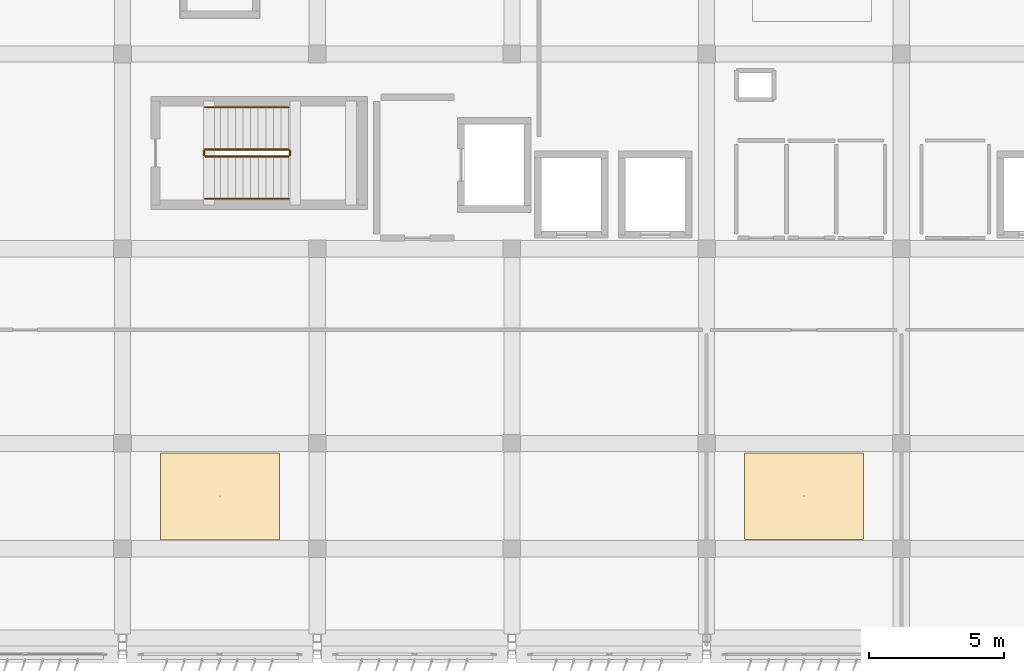
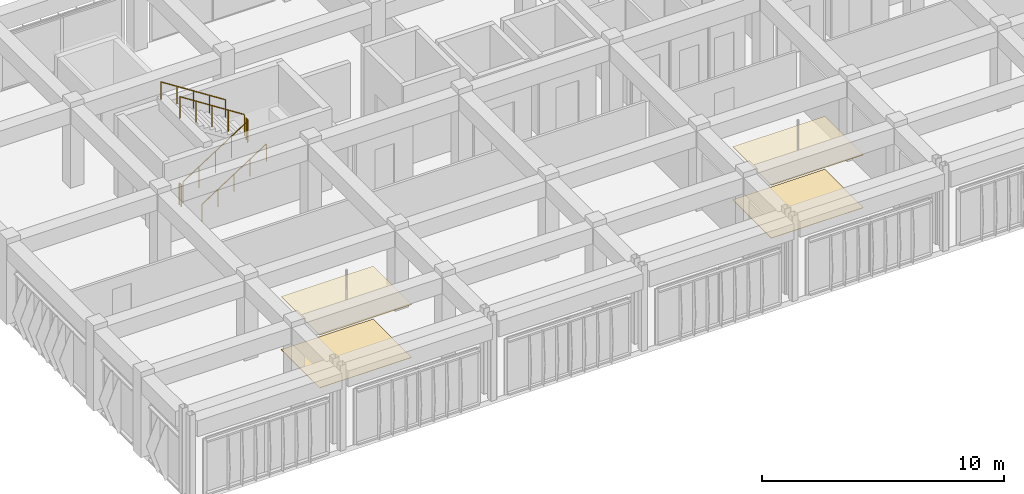
# One storey, part 51 of 53: 6 railings, 4 coverings.
"""IFC4 building model written with IfcOpenShell, lengths in metres."""

from ifc_helpers import new_model, si_unit, direction, frame, origin, origin_2d, place, context, subcontext, project, spatial, rectangle, circle, extrude, material, layer, layer_set, type_object, element, save


model = new_model("IFC4")

# Units and contexts
model_context = context("Model", 3, precision=1e-05, world=origin(), true_north=direction((0.0, 1.0)))
body_context = subcontext(model_context, "Body", "Model", "MODEL_VIEW")
ifc_project = project(units=[si_unit("LENGTHUNIT", "METRE"), si_unit("AREAUNIT", "SQUARE_METRE"), si_unit("VOLUMEUNIT", "CUBIC_METRE"), si_unit("PLANEANGLEUNIT", "RADIAN"), si_unit("MASSUNIT", "GRAM", prefix="KILO")], contexts=[model_context])

# Site, building, storey
site_placement = place(None, origin())
site = spatial("IfcSite", under=ifc_project, at=site_placement, CompositionType="ELEMENT")
building_placement = place(site_placement, origin())
building = spatial("IfcBuilding", under=site, at=building_placement, Name="Kazehaya Institute of Natural Sciences", CompositionType="ELEMENT")
storey_placement = place(building_placement, frame((0.0, 0.0, 33.300048828125)))
storey = spatial("IfcBuildingStorey", under=building, at=storey_placement, Name="L07", CompositionType="ELEMENT", Elevation=33.300048828125)

# Coverings
ifc_material_1 = material(Name="Mineral-fibre acoustic ceiling tile")
ifc_layer_1 = layer(ifc_material_1, 0.02490234375, Name="Mineral-fibre acoustic ceiling tile")
ifc_layer_set_1 = layer_set([ifc_layer_1], Name="Mineral-fibre acoustic ceiling tile")
covering_type_1 = type_object("IfcCoveringType", Name="COV-CEIL-AC", PredefinedType="CEILING", material=ifc_layer_set_1)
for number, where, z_axis, x_axis, name in (
    (1, (65.40771484375, 12.035888671875, 2.66748046875), (0.0, 0.0, 1.0), (1.0, 0.0, 0.0), "L07 Catalysis Synthesis Laboratory ceiling 64"),
    (2, (87.0, 12.050048828125, 2.66748046875), (0.0, 0.0, 1.0), (1.0, 0.0, 0.0), "L07 Nanomaterials Wet Laboratory ceiling 65"),
):
    element("IfcCovering", number, at=place(storey_placement, frame(where, z_axis=z_axis, x_axis=x_axis)), inside=storey, type_object=covering_type_1, Name=name, PredefinedType="CEILING", context=body_context, shape_type="SweptSolid", body=[
        extrude(rectangle(XDim=4.39990234375, YDim=3.199951171875, at=origin_2d()), origin(), (0.0, 0.0, 1.0), 0.02490234375),
    ])
ifc_material_2 = material(Name="Seamless chemical-resistant epoxy flooring")
ifc_layer_2 = layer(ifc_material_2, 0.014892578125, Name="Seamless chemical-resistant epoxy flooring")
ifc_layer_set_2 = layer_set([ifc_layer_2], Name="Seamless chemical-resistant epoxy flooring")
covering_type_2 = type_object("IfcCoveringType", Name="COV-FLR-EPX", PredefinedType="FLOORING", material=ifc_layer_set_2)
for number, where, z_axis, x_axis, name in (
    (3, (65.40771484375, 12.035888671875, 0.0), (0.0, 0.0, 1.0), (1.0, 0.0, 0.0), "L07 Catalysis Synthesis Laboratory finish flooring 64"),
    (4, (87.0, 12.050048828125, 0.0), (0.0, 0.0, 1.0), (1.0, 0.0, 0.0), "L07 Nanomaterials Wet Laboratory finish flooring 65"),
):
    element("IfcCovering", number, at=place(storey_placement, frame(where, z_axis=z_axis, x_axis=x_axis)), inside=storey, type_object=covering_type_2, Name=name, PredefinedType="FLOORING", context=body_context, shape_type="SweptSolid", body=[
        extrude(rectangle(XDim=4.39990234375, YDim=3.199951171875, at=origin_2d()), origin(), (0.0, 0.0, 1.0), 0.014892578125),
    ])

# Railings
ifc_material_3 = material(Name="Structural steel SN490B", Category="steel")
railing_type_1 = type_object("IfcRailingType", Name="RL-STAIR-GRD", PredefinedType="GUARDRAIL", material=ifc_material_3)
railing_1_placement = place(storey_placement, frame((64.860107421875, 24.610107421875, 0.179931640625)))
element("IfcRailing", 5, at=railing_1_placement, inside=storey, type_object=railing_type_1, Name="L07 ST-1 stair guard 1", PredefinedType="GUARDRAIL", context=body_context, shape_type="SweptSolid", body=[
    extrude(circle(Radius=0.02392578125, at=origin_2d()), frame((0.0, 0.0, 1.076171875), z_axis=(0.841167642724, 0.0, 0.540774441735), x_axis=(0.0, 1.0, 0.0)), (0.0, 0.0, 1.0), 3.661376953125),
    extrude(circle(Radius=0.02099609375, at=origin_2d()), origin(), (0.0, 0.0, 1.0), 1.052001953125),
    extrude(circle(Radius=0.02099609375, at=origin_2d()), frame((0.77001953125, 0.0, 0.4951171875)), (0.0, 0.0, 1.0), 1.052001953125),
    extrude(circle(Radius=0.02099609375, at=origin_2d()), frame((1.5400390625, 0.0, 0.989990234375)), (0.0, 0.0, 1.0), 1.052001953125),
    extrude(circle(Radius=0.02099609375, at=origin_2d()), frame((2.309814453125, 0.0, 1.48486328125)), (0.0, 0.0, 1.0), 1.052001953125),
    extrude(circle(Radius=0.02099609375, at=origin_2d()), frame((3.079833984375, 0.0, 1.97998046875)), (0.0, 0.0, 1.0), 1.052001953125),
])
railing_2_placement = place(storey_placement, frame((67.989990234375, 24.659912109375, 2.159912109375)))
element("IfcRailing", 6, at=railing_2_placement, inside=storey, type_object=railing_type_1, Name="L07 ST-1 stair guard 2", PredefinedType="GUARDRAIL", context=body_context, shape_type="SweptSolid", body=[
    extrude(circle(Radius=0.02392578125, at=origin_2d()), frame((0.0, 0.0, 1.076171875), z_axis=(0.0, 1.0, 0.0), x_axis=(-1.0, 0.0, 0.0)), (0.0, 0.0, 1.0), 0.16015625),
    extrude(circle(Radius=0.02099609375, at=origin_2d()), origin(), (0.0, 0.0, 1.0), 1.052001953125),
    extrude(circle(Radius=0.02099609375, at=origin_2d()), frame((0.0, 0.16015625, 0.0)), (0.0, 0.0, 1.0), 1.052001953125),
])
railing_3_placement = place(storey_placement, frame((67.93994140625, 24.8701171875, 2.33984375)))
element("IfcRailing", 7, at=railing_3_placement, inside=storey, type_object=railing_type_1, Name="L07 ST-1 stair guard 3", PredefinedType="GUARDRAIL", context=body_context, shape_type="SweptSolid", body=[
    extrude(circle(Radius=0.02392578125, at=origin_2d()), frame((0.0, 0.0, 1.076171875), z_axis=(-0.841137310985, 0.0, 0.540821619453), x_axis=(0.0, -1.0, 0.0)), (0.0, 0.0, 1.0), 3.66162109375),
    extrude(circle(Radius=0.02099609375, at=origin_2d()), origin(), (0.0, 0.0, 1.0), 1.052001953125),
    extrude(circle(Radius=0.02099609375, at=origin_2d()), frame((-0.77001953125, 0.0, 0.4951171875)), (0.0, 0.0, 1.0), 1.052001953125),
    extrude(circle(Radius=0.02099609375, at=origin_2d()), frame((-1.5400390625, 0.0, 0.990234375)), (0.0, 0.0, 1.0), 1.052001953125),
    extrude(circle(Radius=0.02099609375, at=origin_2d()), frame((-2.309814453125, 0.0, 1.485107421875)), (0.0, 0.0, 1.0), 1.052001953125),
    extrude(circle(Radius=0.02099609375, at=origin_2d()), frame((-3.079833984375, 0.0, 1.980224609375)), (0.0, 0.0, 1.0), 1.052001953125),
])
railing_4_placement = place(storey_placement, frame((64.81005859375, 24.659912109375, 0.0)))
element("IfcRailing", 8, at=railing_4_placement, inside=storey, type_object=railing_type_1, Name="L07 ST-1 stair guard 4", PredefinedType="GUARDRAIL", context=body_context, shape_type="SweptSolid", body=[
    extrude(circle(Radius=0.02392578125, at=origin_2d()), frame((0.0, 0.0, 1.076171875), z_axis=(0.0, 1.0, 0.0), x_axis=(-1.0, 0.0, 0.0)), (0.0, 0.0, 1.0), 0.16015625),
    extrude(circle(Radius=0.02099609375, at=origin_2d()), origin(), (0.0, 0.0, 1.0), 1.052001953125),
    extrude(circle(Radius=0.02099609375, at=origin_2d()), frame((0.0, 0.16015625, 0.0)), (0.0, 0.0, 1.0), 1.052001953125),
])
ifc_material_4 = material(Name="Brushed stainless steel handrail", Category="steel")
railing_type_2 = type_object("IfcRailingType", Name="RL-STAIR-HND", PredefinedType="HANDRAIL", material=ifc_material_4)
railing_5_placement = place(storey_placement, frame((64.860107421875, 23.050048828125, 0.179931640625)))
element("IfcRailing", 9, at=railing_5_placement, inside=storey, type_object=railing_type_2, Name="L07 ST-1 stair handrail 1", PredefinedType="HANDRAIL", context=body_context, shape_type="SweptSolid", body=[
    extrude(circle(Radius=0.02392578125, at=origin_2d()), frame((0.0, 0.0, 0.8759765625), z_axis=(0.841167642724, 0.0, 0.540774441735), x_axis=(0.0, 1.0, 0.0)), (0.0, 0.0, 1.0), 3.661376953125),
    extrude(circle(Radius=0.02099609375, at=origin_2d()), origin(), (0.0, 0.0, 1.0), 0.851806640625),
    extrude(circle(Radius=0.02099609375, at=origin_2d()), frame((0.77001953125, 0.0, 0.4951171875)), (0.0, 0.0, 1.0), 0.851806640625),
    extrude(circle(Radius=0.02099609375, at=origin_2d()), frame((1.5400390625, 0.0, 0.989990234375)), (0.0, 0.0, 1.0), 0.851806640625),
    extrude(circle(Radius=0.02099609375, at=origin_2d()), frame((2.309814453125, 0.0, 1.48486328125)), (0.0, 0.0, 1.0), 0.851806640625),
    extrude(circle(Radius=0.02099609375, at=origin_2d()), frame((3.079833984375, 0.0, 1.97998046875)), (0.0, 0.0, 1.0), 0.851806640625),
])
railing_6_placement = place(storey_placement, frame((67.93994140625, 26.429931640625, 2.33984375)))
element("IfcRailing", 10, at=railing_6_placement, inside=storey, type_object=railing_type_2, Name="L07 ST-1 stair handrail 2", PredefinedType="HANDRAIL", context=body_context, shape_type="SweptSolid", body=[
    extrude(circle(Radius=0.02392578125, at=origin_2d()), frame((0.0, 0.0, 0.8759765625), z_axis=(-0.841137310985, 0.0, 0.540821619453), x_axis=(0.0, -1.0, 0.0)), (0.0, 0.0, 1.0), 3.66162109375),
    extrude(circle(Radius=0.02099609375, at=origin_2d()), origin(), (0.0, 0.0, 1.0), 0.851806640625),
    extrude(circle(Radius=0.02099609375, at=origin_2d()), frame((-0.77001953125, 0.0, 0.4951171875)), (0.0, 0.0, 1.0), 0.851806640625),
    extrude(circle(Radius=0.02099609375, at=origin_2d()), frame((-1.5400390625, 0.0, 0.990234375)), (0.0, 0.0, 1.0), 0.851806640625),
    extrude(circle(Radius=0.02099609375, at=origin_2d()), frame((-2.309814453125, 0.0, 1.485107421875)), (0.0, 0.0, 1.0), 0.851806640625),
    extrude(circle(Radius=0.02099609375, at=origin_2d()), frame((-3.079833984375, 0.0, 1.980224609375)), (0.0, 0.0, 1.0), 0.851806640625),
])

save(model, "model.ifc")
